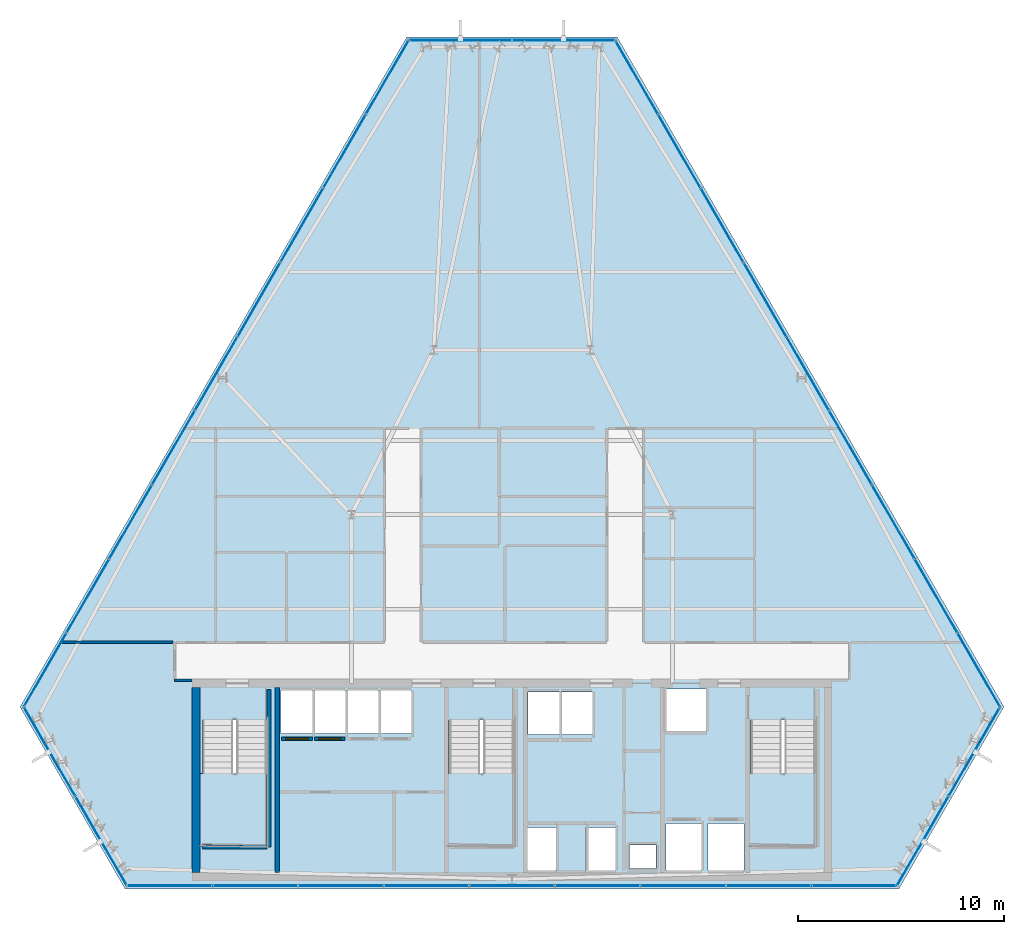
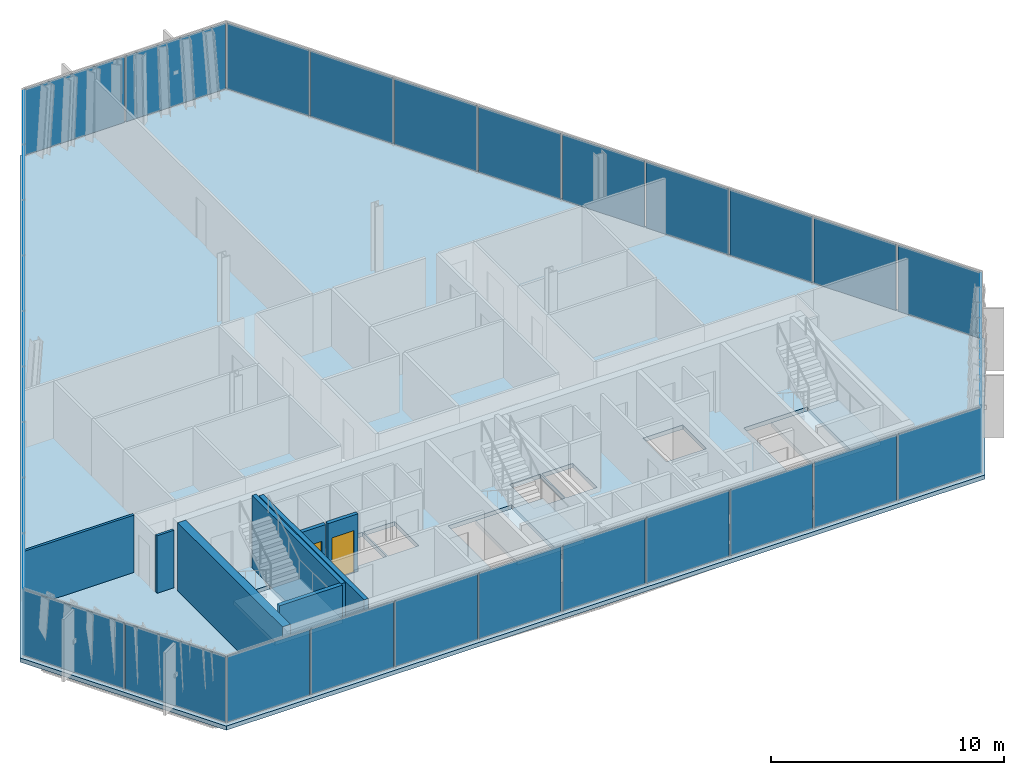
# One storey, part 27 of 35: 33 plates, 8 walls, 4 slabs, 2 doors, 2 openings, 9 elements without a shape of their own.
"""IFC4 building model written with IfcOpenShell, lengths in metres."""

from ifc_helpers import new_model, si_unit, direction, frame, frame_2d, origin, origin_2d, place, context, subcontext, project, spatial, polyline, rectangle, outline, extrude, material, layer, layer_set, type_object, element, fill, aggregate, save


model = new_model("IFC4")

# Units and contexts
model_context = context("Model", 3, precision=1e-05, world=origin(), true_north=direction((0.0, 1.0)))
body_context = subcontext(model_context, "Body", "Model", "MODEL_VIEW")
ifc_project = project(units=[si_unit("LENGTHUNIT", "METRE"), si_unit("AREAUNIT", "SQUARE_METRE"), si_unit("VOLUMEUNIT", "CUBIC_METRE"), si_unit("PLANEANGLEUNIT", "RADIAN"), si_unit("MASSUNIT", "GRAM", prefix="KILO")], contexts=[model_context])

# Site, building, storey
site_placement = place(None, origin())
site = spatial("IfcSite", under=ifc_project, at=site_placement, CompositionType="ELEMENT")
building_placement = place(site_placement, origin())
building = spatial("IfcBuilding", under=site, at=building_placement, Name="Ndaravel Arena Tower", CompositionType="ELEMENT")
storey_placement = place(building_placement, frame((0.0, 0.0, 180.199951171875)))
storey = spatial("IfcBuildingStorey", under=building, at=storey_placement, Name="L43", CompositionType="ELEMENT", Elevation=180.199951171875)

# Curtain wall, plate
ifc_material_1 = material(Name="Aluminium", Category="aluminium")
ifc_layer_1 = layer(ifc_material_1, 0.179931640625)
ifc_layer_set_1 = layer_set([ifc_layer_1], Name="Aluminium")
curtain_wall_type_1 = type_object("IfcCurtainWallType", Name="CW-SYS-01", PredefinedType="NOTDEFINED", material=ifc_layer_set_1)
curtain_wall_1_placement = place(storey_placement, origin())
curtain_wall_1 = element("IfcCurtainWall", 1, at=curtain_wall_1_placement, inside=storey, type_object=curtain_wall_type_1, Name="L43 Faceted Crystal Curtain Wall CW-L43-E02", PredefinedType="NOTDEFINED")
ifc_material_2 = material(Name="Glazing", Category="glass")
ifc_layer_2 = layer(ifc_material_2, 0.035888671875)
ifc_layer_set_2 = layer_set([ifc_layer_2], Name="Glazing")
plate_type_1 = type_object("IfcPlateType", Name="PLT-CW-OPVENT", PredefinedType="CURTAIN_PANEL", material=ifc_layer_set_2)
plate_1_placement = place(storey_placement, frame((64.467529296875, 11.6796875, 0.06005859375), z_axis=(0.0, 0.0, 1.0), x_axis=(0.5, 0.866025403784, 0.0)))
plate_1 = element("IfcPlate", 2, at=plate_1_placement, type_object=plate_type_1, Name="CW-L43-E02 Operable Vent Sash Panel 02", PredefinedType="CURTAIN_PANEL", context=body_context, shape_type="SweptSolid", body=[
    extrude(rectangle(XDim=4.938720703125, YDim=0.035888671875, at=origin_2d()), origin(), (0.0, 0.0, 1.0), 3.4599609375),
])

curtain_wall_2_placement = place(storey_placement, origin())
curtain_wall_2 = element("IfcCurtainWall", 3, at=curtain_wall_2_placement, inside=storey, type_object=curtain_wall_type_1, Name="L43 Faceted Crystal Curtain Wall CW-L43-E04", PredefinedType="NOTDEFINED")
plate_2_placement = place(storey_placement, frame((39.490478515625, 46.248291015625, 0.06005859375), z_axis=(0.0, 0.0, 1.0), x_axis=(-1.0, 0.0, 0.0)))
plate_2 = element("IfcPlate", 4, at=plate_2_placement, type_object=plate_type_1, Name="CW-L43-E04 Operable Vent Sash Panel 02", PredefinedType="CURTAIN_PANEL", context=body_context, shape_type="SweptSolid", body=[
    extrude(rectangle(XDim=4.938720703125, YDim=0.035888671875, at=origin_2d()), origin(), (0.0, 0.0, 1.0), 3.4599609375),
])

ifc_material_3 = material(Name="Aluminium", Category="aluminium")
ifc_layer_3 = layer(ifc_material_3, 0.179931640625)
ifc_layer_set_3 = layer_set([ifc_layer_3], Name="Aluminium")
curtain_wall_type_2 = type_object("IfcCurtainWallType", Name="CW-SYS-02", PredefinedType="NOTDEFINED", material=ifc_layer_set_3)
curtain_wall_3_placement = place(storey_placement, origin())
curtain_wall_3 = element("IfcCurtainWall", 5, at=curtain_wall_3_placement, inside=storey, type_object=curtain_wall_type_2, Name="L43 Faceted Crystal Curtain Wall CW-L43-E06", PredefinedType="NOTDEFINED")
plate_3_placement = place(storey_placement, frame((22.0419921875, 7.333251953125, 0.06005859375), z_axis=(0.0, 0.0, 1.0), x_axis=(0.5, -0.866025403784, 0.0)))
plate_3 = element("IfcPlate", 6, at=plate_3_placement, type_object=plate_type_1, Name="CW-L43-E06 Operable Vent Sash Panel 02", PredefinedType="CURTAIN_PANEL", context=body_context, shape_type="SweptSolid", body=[
    extrude(rectangle(XDim=4.938720703125, YDim=0.035888671875, at=origin_2d()), origin(), (0.0, 0.0, 1.0), 3.4599609375),
])

# Plate
ifc_material_4 = material(Name="Glazing", Category="glass")
ifc_layer_4 = layer(ifc_material_4, 0.031982421875)
ifc_layer_set_4 = layer_set([ifc_layer_4], Name="Glazing")
plate_type_2 = type_object("IfcPlateType", Name="PLT-GLZ-FRIT35", PredefinedType="CURTAIN_PANEL", material=ifc_layer_set_4)
plate_4_placement = place(storey_placement, frame((61.9580078125, 7.333251953125, 0.06005859375), z_axis=(0.0, 0.0, 1.0), x_axis=(0.5, 0.866025403784, 0.0)))
plate_4 = element("IfcPlate", 7, at=plate_4_placement, type_object=plate_type_2, Name="CW-L43-E02 Vision Glass Panel 01", PredefinedType="CURTAIN_PANEL", context=body_context, shape_type="SweptSolid", body=[
    extrude(rectangle(XDim=4.938720703125, YDim=0.035888671875, at=origin_2d()), origin(), (0.0, 0.0, 1.0), 3.4599609375),
])

aggregate(curtain_wall_1, [plate_4, plate_1])

plate_5_placement = place(storey_placement, frame((44.509521484375, 46.248291015625, 0.06005859375), z_axis=(0.0, 0.0, 1.0), x_axis=(-1.0, 0.0, 0.0)))
plate_5 = element("IfcPlate", 8, at=plate_5_placement, type_object=plate_type_2, Name="CW-L43-E04 Vision Glass Panel 01", PredefinedType="CURTAIN_PANEL", context=body_context, shape_type="SweptSolid", body=[
    extrude(rectangle(XDim=4.938720703125, YDim=0.035888671875, at=origin_2d()), origin(), (0.0, 0.0, 1.0), 3.4599609375),
])

aggregate(curtain_wall_2, [plate_5, plate_2])

ifc_material_5 = material(Name="Glazing", Category="glass")
ifc_layer_5 = layer(ifc_material_5, 0.035888671875)
ifc_layer_set_5 = layer_set([ifc_layer_5], Name="Glazing")
plate_type_3 = type_object("IfcPlateType", Name="PLT-GLZ-FRIT55", PredefinedType="CURTAIN_PANEL", material=ifc_layer_set_5)
plate_6_placement = place(storey_placement, frame((19.532470703125, 11.6796875, 0.06005859375), z_axis=(0.0, 0.0, 1.0), x_axis=(0.5, -0.866025403784, 0.0)))
plate_6 = element("IfcPlate", 9, at=plate_6_placement, type_object=plate_type_3, Name="CW-L43-E06 Vision Glass Panel 01", PredefinedType="CURTAIN_PANEL", context=body_context, shape_type="SweptSolid", body=[
    extrude(rectangle(XDim=4.938720703125, YDim=0.035888671875, at=origin_2d()), origin(), (0.0, 0.0, 1.0), 3.4599609375),
])

aggregate(curtain_wall_3, [plate_6, plate_3])

# Curtain wall, plates
ifc_material_6 = material(Name="Aluminium", Category="aluminium")
ifc_layer_6 = layer(ifc_material_6, 0.179931640625)
ifc_layer_set_6 = layer_set([ifc_layer_6], Name="Aluminium")
curtain_wall_type_3 = type_object("IfcCurtainWallType", Name="CW-SYS-03", PredefinedType="NOTDEFINED", material=ifc_layer_set_6)
curtain_wall_4_placement = place(storey_placement, origin())
curtain_wall_4 = element("IfcCurtainWall", 10, at=curtain_wall_4_placement, inside=storey, type_object=curtain_wall_type_3, Name="L43 Faceted Crystal Curtain Wall CW-L43-E01", PredefinedType="NOTDEFINED")
ifc_material_7 = material(Name="Glazing", Category="glass")
ifc_layer_7 = layer(ifc_material_7, 0.0400390625)
ifc_layer_set_7 = layer_set([ifc_layer_7], Name="Glazing")
plate_type_4 = type_object("IfcPlateType", Name="PLT-GLZ-LOWIRON", PredefinedType="CURTAIN_PANEL", material=ifc_layer_set_7)
plate_7_placement = place(storey_placement, frame((25.374755859375, 5.159912109375, 0.06005859375), z_axis=(0.0, 0.0, 1.0), x_axis=(1.0, 0.0, 0.0)))
plate_7 = element("IfcPlate", 11, at=plate_7_placement, type_object=plate_type_4, Name="CW-L43-E01 Vision Glass Panel 01", PredefinedType="CURTAIN_PANEL", context=body_context, shape_type="SweptSolid", body=[
    extrude(rectangle(XDim=4.076416015625, YDim=0.035888671875, at=origin_2d()), origin(), (0.0, 0.0, 1.0), 3.4599609375),
])
plate_8_placement = place(storey_placement, frame((29.531005859375, 5.159912109375, 0.06005859375), z_axis=(0.0, 0.0, 1.0), x_axis=(1.0, 0.0, 0.0)))
plate_8 = element("IfcPlate", 12, at=plate_8_placement, type_object=plate_type_4, Name="CW-L43-E01 Vision Glass Panel 02", PredefinedType="CURTAIN_PANEL", context=body_context, shape_type="SweptSolid", body=[
    extrude(rectangle(XDim=4.076416015625, YDim=0.035888671875, at=origin_2d()), origin(), (0.0, 0.0, 1.0), 3.4599609375),
])
plate_9_placement = place(storey_placement, frame((33.6875, 5.159912109375, 0.06005859375), z_axis=(0.0, 0.0, 1.0), x_axis=(1.0, 0.0, 0.0)))
plate_9 = element("IfcPlate", 13, at=plate_9_placement, type_object=plate_type_4, Name="CW-L43-E01 Vision Glass Panel 03", PredefinedType="CURTAIN_PANEL", context=body_context, shape_type="SweptSolid", body=[
    extrude(rectangle(XDim=4.076416015625, YDim=0.035888671875, at=origin_2d()), origin(), (0.0, 0.0, 1.0), 3.4599609375),
])
plate_10_placement = place(storey_placement, frame((37.84375, 5.159912109375, 0.06005859375), z_axis=(0.0, 0.0, 1.0), x_axis=(1.0, 0.0, 0.0)))
plate_10 = element("IfcPlate", 14, at=plate_10_placement, type_object=plate_type_4, Name="CW-L43-E01 Vision Glass Panel 04", PredefinedType="CURTAIN_PANEL", context=body_context, shape_type="SweptSolid", body=[
    extrude(rectangle(XDim=4.076416015625, YDim=0.035888671875, at=origin_2d()), origin(), (0.0, 0.0, 1.0), 3.4599609375),
])
plate_11_placement = place(storey_placement, frame((42.0, 5.159912109375, 0.06005859375), z_axis=(0.0, 0.0, 1.0), x_axis=(1.0, 0.0, 0.0)))
plate_11 = element("IfcPlate", 15, at=plate_11_placement, type_object=plate_type_4, Name="CW-L43-E01 Vision Glass Panel 05", PredefinedType="CURTAIN_PANEL", context=body_context, shape_type="SweptSolid", body=[
    extrude(rectangle(XDim=4.076416015625, YDim=0.035888671875, at=origin_2d()), origin(), (0.0, 0.0, 1.0), 3.4599609375),
])
plate_12_placement = place(storey_placement, frame((46.15625, 5.159912109375, 0.06005859375), z_axis=(0.0, 0.0, 1.0), x_axis=(1.0, 0.0, 0.0)))
plate_12 = element("IfcPlate", 16, at=plate_12_placement, type_object=plate_type_4, Name="CW-L43-E01 Vision Glass Panel 06", PredefinedType="CURTAIN_PANEL", context=body_context, shape_type="SweptSolid", body=[
    extrude(rectangle(XDim=4.076416015625, YDim=0.035888671875, at=origin_2d()), origin(), (0.0, 0.0, 1.0), 3.4599609375),
])
plate_13_placement = place(storey_placement, frame((50.3125, 5.159912109375, 0.06005859375), z_axis=(0.0, 0.0, 1.0), x_axis=(1.0, 0.0, 0.0)))
plate_13 = element("IfcPlate", 17, at=plate_13_placement, type_object=plate_type_4, Name="CW-L43-E01 Vision Glass Panel 07", PredefinedType="CURTAIN_PANEL", context=body_context, shape_type="SweptSolid", body=[
    extrude(rectangle(XDim=4.076416015625, YDim=0.035888671875, at=origin_2d()), origin(), (0.0, 0.0, 1.0), 3.4599609375),
])
plate_14_placement = place(storey_placement, frame((54.468994140625, 5.159912109375, 0.06005859375), z_axis=(0.0, 0.0, 1.0), x_axis=(1.0, 0.0, 0.0)))
plate_14 = element("IfcPlate", 18, at=plate_14_placement, type_object=plate_type_4, Name="CW-L43-E01 Vision Glass Panel 08", PredefinedType="CURTAIN_PANEL", context=body_context, shape_type="SweptSolid", body=[
    extrude(rectangle(XDim=4.076416015625, YDim=0.035888671875, at=origin_2d()), origin(), (0.0, 0.0, 1.0), 3.4599609375),
])
plate_15_placement = place(storey_placement, frame((58.625244140625, 5.159912109375, 0.06005859375), z_axis=(0.0, 0.0, 1.0), x_axis=(1.0, 0.0, 0.0)))
plate_15 = element("IfcPlate", 19, at=plate_15_placement, type_object=plate_type_4, Name="CW-L43-E01 Vision Glass Panel 09", PredefinedType="CURTAIN_PANEL", context=body_context, shape_type="SweptSolid", body=[
    extrude(rectangle(XDim=4.076416015625, YDim=0.035888671875, at=origin_2d()), origin(), (0.0, 0.0, 1.0), 3.4599609375),
])
aggregate(curtain_wall_4, [plate_7, plate_8, plate_9, plate_10, plate_11, plate_12, plate_13, plate_14, plate_15])

curtain_wall_5_placement = place(storey_placement, origin())
curtain_wall_5 = element("IfcCurtainWall", 20, at=curtain_wall_5_placement, inside=storey, type_object=curtain_wall_type_3, Name="L43 Faceted Crystal Curtain Wall CW-L43-E03", PredefinedType="NOTDEFINED")
plate_16_placement = place(storey_placement, frame((64.68310546875, 15.652587890625, 0.06005859375), z_axis=(0.0, 0.0, 1.0), x_axis=(-0.5, 0.866025403784, 0.0)))
plate_16 = element("IfcPlate", 21, at=plate_16_placement, type_object=plate_type_4, Name="CW-L43-E03 Vision Glass Panel 01", PredefinedType="CURTAIN_PANEL", context=body_context, shape_type="SweptSolid", body=[
    extrude(rectangle(XDim=4.076416015625, YDim=0.035888671875, at=origin_2d()), origin(), (0.0, 0.0, 1.0), 3.4599609375),
])
plate_17_placement = place(storey_placement, frame((62.60498046875, 19.252197265625, 0.06005859375), z_axis=(0.0, 0.0, 1.0), x_axis=(-0.5, 0.866025403784, 0.0)))
plate_17 = element("IfcPlate", 22, at=plate_17_placement, type_object=plate_type_4, Name="CW-L43-E03 Vision Glass Panel 02", PredefinedType="CURTAIN_PANEL", context=body_context, shape_type="SweptSolid", body=[
    extrude(rectangle(XDim=4.076416015625, YDim=0.035888671875, at=origin_2d()), origin(), (0.0, 0.0, 1.0), 3.4599609375),
])
plate_18_placement = place(storey_placement, frame((60.52685546875, 22.8515625, 0.06005859375), z_axis=(0.0, 0.0, 1.0), x_axis=(-0.5, 0.866025403784, 0.0)))
plate_18 = element("IfcPlate", 23, at=plate_18_placement, type_object=plate_type_4, Name="CW-L43-E03 Vision Glass Panel 03", PredefinedType="CURTAIN_PANEL", context=body_context, shape_type="SweptSolid", body=[
    extrude(rectangle(XDim=4.076416015625, YDim=0.035888671875, at=origin_2d()), origin(), (0.0, 0.0, 1.0), 3.4599609375),
])
plate_19_placement = place(storey_placement, frame((58.44873046875, 26.451171875, 0.06005859375), z_axis=(0.0, 0.0, 1.0), x_axis=(-0.5, 0.866025403784, 0.0)))
plate_19 = element("IfcPlate", 24, at=plate_19_placement, type_object=plate_type_4, Name="CW-L43-E03 Vision Glass Panel 04", PredefinedType="CURTAIN_PANEL", context=body_context, shape_type="SweptSolid", body=[
    extrude(rectangle(XDim=4.076416015625, YDim=0.035888671875, at=origin_2d()), origin(), (0.0, 0.0, 1.0), 3.4599609375),
])
plate_20_placement = place(storey_placement, frame((56.37060546875, 30.050537109375, 0.06005859375), z_axis=(0.0, 0.0, 1.0), x_axis=(-0.5, 0.866025403784, 0.0)))
plate_20 = element("IfcPlate", 25, at=plate_20_placement, type_object=plate_type_4, Name="CW-L43-E03 Vision Glass Panel 05", PredefinedType="CURTAIN_PANEL", context=body_context, shape_type="SweptSolid", body=[
    extrude(rectangle(XDim=4.076416015625, YDim=0.035888671875, at=origin_2d()), origin(), (0.0, 0.0, 1.0), 3.4599609375),
])
plate_21_placement = place(storey_placement, frame((54.292236328125, 33.64990234375, 0.06005859375), z_axis=(0.0, 0.0, 1.0), x_axis=(-0.5, 0.866025403784, 0.0)))
plate_21 = element("IfcPlate", 26, at=plate_21_placement, type_object=plate_type_4, Name="CW-L43-E03 Vision Glass Panel 06", PredefinedType="CURTAIN_PANEL", context=body_context, shape_type="SweptSolid", body=[
    extrude(rectangle(XDim=4.076416015625, YDim=0.035888671875, at=origin_2d()), origin(), (0.0, 0.0, 1.0), 3.4599609375),
])
plate_22_placement = place(storey_placement, frame((52.214111328125, 37.24951171875, 0.06005859375), z_axis=(0.0, 0.0, 1.0), x_axis=(-0.5, 0.866025403784, 0.0)))
plate_22 = element("IfcPlate", 27, at=plate_22_placement, type_object=plate_type_4, Name="CW-L43-E03 Vision Glass Panel 07", PredefinedType="CURTAIN_PANEL", context=body_context, shape_type="SweptSolid", body=[
    extrude(rectangle(XDim=4.076416015625, YDim=0.035888671875, at=origin_2d()), origin(), (0.0, 0.0, 1.0), 3.4599609375),
])
plate_23_placement = place(storey_placement, frame((50.135986328125, 40.84912109375, 0.06005859375), z_axis=(0.0, 0.0, 1.0), x_axis=(-0.5, 0.866025403784, 0.0)))
plate_23 = element("IfcPlate", 28, at=plate_23_placement, type_object=plate_type_4, Name="CW-L43-E03 Vision Glass Panel 08", PredefinedType="CURTAIN_PANEL", context=body_context, shape_type="SweptSolid", body=[
    extrude(rectangle(XDim=4.076416015625, YDim=0.035888671875, at=origin_2d()), origin(), (0.0, 0.0, 1.0), 3.4599609375),
])
plate_24_placement = place(storey_placement, frame((48.057861328125, 44.448486328125, 0.06005859375), z_axis=(0.0, 0.0, 1.0), x_axis=(-0.5, 0.866025403784, 0.0)))
plate_24 = element("IfcPlate", 29, at=plate_24_placement, type_object=plate_type_4, Name="CW-L43-E03 Vision Glass Panel 09", PredefinedType="CURTAIN_PANEL", context=body_context, shape_type="SweptSolid", body=[
    extrude(rectangle(XDim=4.076416015625, YDim=0.035888671875, at=origin_2d()), origin(), (0.0, 0.0, 1.0), 3.4599609375),
])
aggregate(curtain_wall_5, [plate_16, plate_17, plate_18, plate_19, plate_20, plate_21, plate_22, plate_23, plate_24])

curtain_wall_6_placement = place(storey_placement, origin())
curtain_wall_6 = element("IfcCurtainWall", 30, at=curtain_wall_6_placement, inside=storey, type_object=curtain_wall_type_3, Name="L43 Faceted Crystal Curtain Wall CW-L43-E05", PredefinedType="NOTDEFINED")
plate_25_placement = place(storey_placement, frame((35.942138671875, 44.448486328125, 0.06005859375), z_axis=(0.0, 0.0, 1.0), x_axis=(-0.5, -0.866025403784, 0.0)))
plate_25 = element("IfcPlate", 31, at=plate_25_placement, type_object=plate_type_4, Name="CW-L43-E05 Vision Glass Panel 01", PredefinedType="CURTAIN_PANEL", context=body_context, shape_type="SweptSolid", body=[
    extrude(rectangle(XDim=4.076416015625, YDim=0.035888671875, at=origin_2d()), origin(), (0.0, 0.0, 1.0), 3.4599609375),
])
plate_26_placement = place(storey_placement, frame((33.864013671875, 40.84912109375, 0.06005859375), z_axis=(0.0, 0.0, 1.0), x_axis=(-0.5, -0.866025403784, 0.0)))
plate_26 = element("IfcPlate", 32, at=plate_26_placement, type_object=plate_type_4, Name="CW-L43-E05 Vision Glass Panel 02", PredefinedType="CURTAIN_PANEL", context=body_context, shape_type="SweptSolid", body=[
    extrude(rectangle(XDim=4.076416015625, YDim=0.035888671875, at=origin_2d()), origin(), (0.0, 0.0, 1.0), 3.4599609375),
])
plate_27_placement = place(storey_placement, frame((31.785888671875, 37.24951171875, 0.06005859375), z_axis=(0.0, 0.0, 1.0), x_axis=(-0.5, -0.866025403784, 0.0)))
plate_27 = element("IfcPlate", 33, at=plate_27_placement, type_object=plate_type_4, Name="CW-L43-E05 Vision Glass Panel 03", PredefinedType="CURTAIN_PANEL", context=body_context, shape_type="SweptSolid", body=[
    extrude(rectangle(XDim=4.076416015625, YDim=0.035888671875, at=origin_2d()), origin(), (0.0, 0.0, 1.0), 3.4599609375),
])
plate_28_placement = place(storey_placement, frame((29.707763671875, 33.64990234375, 0.06005859375), z_axis=(0.0, 0.0, 1.0), x_axis=(-0.5, -0.866025403784, 0.0)))
plate_28 = element("IfcPlate", 34, at=plate_28_placement, type_object=plate_type_4, Name="CW-L43-E05 Vision Glass Panel 04", PredefinedType="CURTAIN_PANEL", context=body_context, shape_type="SweptSolid", body=[
    extrude(rectangle(XDim=4.076416015625, YDim=0.035888671875, at=origin_2d()), origin(), (0.0, 0.0, 1.0), 3.4599609375),
])
plate_29_placement = place(storey_placement, frame((27.62939453125, 30.050537109375, 0.06005859375), z_axis=(0.0, 0.0, 1.0), x_axis=(-0.5, -0.866025403784, 0.0)))
plate_29 = element("IfcPlate", 35, at=plate_29_placement, type_object=plate_type_4, Name="CW-L43-E05 Vision Glass Panel 05", PredefinedType="CURTAIN_PANEL", context=body_context, shape_type="SweptSolid", body=[
    extrude(rectangle(XDim=4.076416015625, YDim=0.035888671875, at=origin_2d()), origin(), (0.0, 0.0, 1.0), 3.4599609375),
])
plate_30_placement = place(storey_placement, frame((25.55126953125, 26.451171875, 0.06005859375), z_axis=(0.0, 0.0, 1.0), x_axis=(-0.5, -0.866025403784, 0.0)))
plate_30 = element("IfcPlate", 36, at=plate_30_placement, type_object=plate_type_4, Name="CW-L43-E05 Vision Glass Panel 06", PredefinedType="CURTAIN_PANEL", context=body_context, shape_type="SweptSolid", body=[
    extrude(rectangle(XDim=4.076416015625, YDim=0.035888671875, at=origin_2d()), origin(), (0.0, 0.0, 1.0), 3.4599609375),
])
plate_31_placement = place(storey_placement, frame((23.47314453125, 22.8515625, 0.06005859375), z_axis=(0.0, 0.0, 1.0), x_axis=(-0.5, -0.866025403784, 0.0)))
plate_31 = element("IfcPlate", 37, at=plate_31_placement, type_object=plate_type_4, Name="CW-L43-E05 Vision Glass Panel 07", PredefinedType="CURTAIN_PANEL", context=body_context, shape_type="SweptSolid", body=[
    extrude(rectangle(XDim=4.076416015625, YDim=0.035888671875, at=origin_2d()), origin(), (0.0, 0.0, 1.0), 3.4599609375),
])
plate_32_placement = place(storey_placement, frame((21.39501953125, 19.252197265625, 0.06005859375), z_axis=(0.0, 0.0, 1.0), x_axis=(-0.5, -0.866025403784, 0.0)))
plate_32 = element("IfcPlate", 38, at=plate_32_placement, type_object=plate_type_4, Name="CW-L43-E05 Vision Glass Panel 08", PredefinedType="CURTAIN_PANEL", context=body_context, shape_type="SweptSolid", body=[
    extrude(rectangle(XDim=4.076416015625, YDim=0.035888671875, at=origin_2d()), origin(), (0.0, 0.0, 1.0), 3.4599609375),
])
plate_33_placement = place(storey_placement, frame((19.31689453125, 15.652587890625, 0.06005859375), z_axis=(0.0, 0.0, 1.0), x_axis=(-0.5, -0.866025403784, 0.0)))
plate_33 = element("IfcPlate", 39, at=plate_33_placement, type_object=plate_type_4, Name="CW-L43-E05 Vision Glass Panel 09", PredefinedType="CURTAIN_PANEL", context=body_context, shape_type="SweptSolid", body=[
    extrude(rectangle(XDim=4.076416015625, YDim=0.035888671875, at=origin_2d()), origin(), (0.0, 0.0, 1.0), 3.4599609375),
])
aggregate(curtain_wall_6, [plate_25, plate_26, plate_27, plate_28, plate_29, plate_30, plate_31, plate_32, plate_33])

# Stair, slab
ifc_material_8 = material(Name="Concrete C40/50", Category="concrete")
stair_type = type_object("IfcStairType", Name="STAIR-CORE-HT", PredefinedType="HALF_TURN_STAIR", material=ifc_material_8)
stair_1_placement = place(storey_placement, origin())
stair_1 = element("IfcStair", 40, at=stair_1_placement, inside=storey, type_object=stair_type, Name="L43 ST-1", PredefinedType="HALF_TURN_STAIR")
ifc_material_9 = material(Name="Concrete C40/50", Category="concrete")
ifc_layer_8 = layer(ifc_material_9, 0.199951171875)
ifc_layer_set_8 = layer_set([ifc_layer_8], Name="Concrete C40/50")
slab_type_1 = type_object("IfcSlabType", Name="SLAB-STAIR-LANDING", PredefinedType="LANDING", material=ifc_layer_set_8)
slab_1_placement = place(storey_placement, frame((0.0, 0.0, 1.699951171875)))
slab_1 = element("IfcSlab", 41, at=slab_1_placement, type_object=slab_type_1, Name="ST-1 landing 1", PredefinedType="LANDING", context=body_context, shape_type="SweptSolid", body=[
    extrude(outline(polyline([(26.81005859375, 10.6298828125), (26.81005859375, 7.070068359375), (30.169921875, 7.070068359375), (30.169921875, 10.6298828125), (26.81005859375, 10.6298828125)])), origin(), (0.0, 0.0, 1.0), 0.2001953125),
])
aggregate(stair_1, [slab_1])

stair_2_placement = place(storey_placement, origin())
stair_2 = element("IfcStair", 42, at=stair_2_placement, inside=storey, type_object=stair_type, Name="L43 ST-2", PredefinedType="HALF_TURN_STAIR")
slab_2_placement = place(storey_placement, frame((0.0, 0.0, 1.699951171875)))
slab_2 = element("IfcSlab", 43, at=slab_2_placement, type_object=slab_type_1, Name="ST-2 landing 1", PredefinedType="LANDING", context=body_context, shape_type="SweptSolid", body=[
    extrude(outline(polyline([(38.81005859375, 10.6298828125), (38.81005859375, 7.070068359375), (42.169921875, 7.070068359375), (42.169921875, 10.6298828125), (38.81005859375, 10.6298828125)])), origin(), (0.0, 0.0, 1.0), 0.2001953125),
])
aggregate(stair_2, [slab_2])

stair_3_placement = place(storey_placement, origin())
stair_3 = element("IfcStair", 44, at=stair_3_placement, inside=storey, type_object=stair_type, Name="L43 ST-3", PredefinedType="HALF_TURN_STAIR")
slab_3_placement = place(storey_placement, frame((0.0, 0.0, 1.699951171875)))
slab_3 = element("IfcSlab", 45, at=slab_3_placement, type_object=slab_type_1, Name="ST-3 landing 1", PredefinedType="LANDING", context=body_context, shape_type="SweptSolid", body=[
    extrude(outline(polyline([(53.4599609375, 10.6298828125), (53.4599609375, 7.070068359375), (56.820068359375, 7.070068359375), (56.820068359375, 10.6298828125), (53.4599609375, 10.6298828125)])), origin(), (0.0, 0.0, 1.0), 0.2001953125),
])
aggregate(stair_3, [slab_3])

# Slab
ifc_material_10 = material(Name="Concrete C40/50", Category="concrete")
ifc_layer_9 = layer(ifc_material_10, 0.219970703125)
ifc_layer_set_9 = layer_set([ifc_layer_9], Name="Concrete C40/50")
slab_type_2 = type_object("IfcSlabType", Name="SLAB-TWR-220", PredefinedType="FLOOR", material=ifc_layer_set_9)
slab_4_placement = place(storey_placement, frame((0.0, 0.0, -0.219970703125)))
element("IfcSlab", 46, at=slab_4_placement, inside=storey, type_object=slab_type_2, Name="L43 Structural Floor Slab", PredefinedType="FLOOR", context=body_context, shape_type="SweptSolid", body=[
    extrude(outline(polyline([(18.093017578125, 13.852783203125), (23.2041015625, 5.0), (60.7958984375, 5.0), (65.906982421875, 13.852783203125), (47.111083984375, 46.408203125), (36.888916015625, 46.408203125), (18.093017578125, 13.852783203125)]), holes=[polyline([(26.949951171875, 13.215087890625), (26.949951171875, 7.14990234375), (30.090087890625, 7.14990234375), (30.090087890625, 13.215087890625), (26.949951171875, 13.215087890625)]), polyline([(38.949951171875, 13.215087890625), (38.949951171875, 7.14990234375), (42.090087890625, 7.14990234375), (42.090087890625, 13.215087890625), (38.949951171875, 13.215087890625)]), polyline([(53.60009765625, 13.215087890625), (53.60009765625, 7.14990234375), (56.739990234375, 7.14990234375), (56.739990234375, 13.215087890625), (53.60009765625, 13.215087890625)]), polyline([(30.784912109375, 12.56005859375), (32.31494140625, 12.56005859375), (32.31494140625, 14.639892578125), (30.784912109375, 14.639892578125), (30.784912109375, 12.56005859375)]), polyline([(32.385009765625, 12.56005859375), (33.9150390625, 12.56005859375), (33.9150390625, 14.639892578125), (32.385009765625, 14.639892578125), (32.385009765625, 12.56005859375)]), polyline([(33.985107421875, 12.56005859375), (35.514892578125, 12.56005859375), (35.514892578125, 14.639892578125), (33.985107421875, 14.639892578125), (33.985107421875, 12.56005859375)]), polyline([(35.5849609375, 12.56005859375), (37.114990234375, 12.56005859375), (37.114990234375, 14.639892578125), (35.5849609375, 14.639892578125), (35.5849609375, 12.56005859375)]), polyline([(42.659912109375, 5.909912109375), (44.139892578125, 5.909912109375), (44.139892578125, 7.989990234375), (42.659912109375, 7.989990234375), (42.659912109375, 5.909912109375)]), polyline([(45.56005859375, 5.909912109375), (47.0400390625, 5.909912109375), (47.0400390625, 7.989990234375), (45.56005859375, 7.989990234375), (45.56005859375, 5.909912109375)]), polyline([(42.784912109375, 12.510009765625), (44.31494140625, 12.510009765625), (44.31494140625, 14.590087890625), (42.784912109375, 14.590087890625), (42.784912109375, 12.510009765625)]), polyline([(44.385009765625, 12.510009765625), (45.9150390625, 12.510009765625), (45.9150390625, 14.590087890625), (44.385009765625, 14.590087890625), (44.385009765625, 12.510009765625)]), polyline([(49.485107421875, 5.909912109375), (51.215087890625, 5.909912109375), (51.215087890625, 8.18994140625), (49.485107421875, 8.18994140625), (49.485107421875, 5.909912109375)]), polyline([(51.534912109375, 5.909912109375), (53.264892578125, 5.909912109375), (53.264892578125, 8.18994140625), (51.534912109375, 8.18994140625), (51.534912109375, 5.909912109375)]), polyline([(49.4599609375, 12.68505859375), (51.43994140625, 12.68505859375), (51.43994140625, 14.715087890625), (49.4599609375, 14.715087890625), (49.4599609375, 12.68505859375)]), polyline([(47.699951171875, 6.0), (49.0, 6.0), (49.0, 7.139892578125), (47.699951171875, 7.139892578125), (47.699951171875, 6.0)])]), origin(), (0.0, 0.0, 1.0), 0.219970703125),
])

# Walls
ifc_material_11 = material(Name="Concrete C50/60", Category="concrete")
ifc_layer_10 = layer(ifc_material_11, 0.219970703125)
ifc_layer_set_10 = layer_set([ifc_layer_10], Name="Concrete C50/60")
wall_type_1 = type_object("IfcWallType", Name="WALL-CORE-220", PredefinedType="SOLIDWALL", material=ifc_layer_set_10)
wall_1_placement = place(storey_placement, frame((30.60009765625, 5.800048828125, 0.0), z_axis=(0.0, 0.0, 1.0), x_axis=(0.0, 1.0, 0.0)))
element("IfcWall", 47, at=wall_1_placement, inside=storey, type_object=wall_type_1, Name="L43 Core Web Shear Wall 1", PredefinedType="SOLIDWALL", context=body_context, shape_type="SweptSolid", body=[
    extrude(rectangle(XDim=9.0, YDim=0.219970703125, at=frame_2d((4.5, 0.0))), origin(), (0.0, 0.0, 1.0), 3.580078125),
])
ifc_material_12 = material(Name="Concrete C50/60", Category="concrete")
ifc_layer_11 = layer(ifc_material_12, 0.39990234375)
ifc_layer_set_11 = layer_set([ifc_layer_11], Name="Concrete C50/60")
wall_type_2 = type_object("IfcWallType", Name="WALL-CORE-400", PredefinedType="SOLIDWALL", material=ifc_layer_set_11)
wall_2_placement = place(storey_placement, frame((26.64990234375, 5.800048828125, 0.0), z_axis=(0.0, 0.0, 1.0), x_axis=(0.0, 1.0, 0.0)))
element("IfcWall", 48, at=wall_2_placement, inside=storey, type_object=wall_type_2, Name="L43 Core West Shear Wall", PredefinedType="SOLIDWALL", context=body_context, shape_type="SweptSolid", body=[
    extrude(rectangle(XDim=9.0, YDim=0.39990234375, at=frame_2d((4.5, 0.0))), origin(), (0.0, 0.0, 1.0), 3.580078125),
])
ifc_material_13 = material(Name="Gypsum", Category="gypsum")
ifc_layer_12 = layer(ifc_material_13, 0.125)
ifc_layer_set_12 = layer_set([ifc_layer_12], Name="Gypsum")
wall_type_3 = type_object("IfcWallType", Name="WALL-PART-125", PredefinedType="PARTITIONING", material=ifc_layer_set_12)
wall_3_placement = place(storey_placement, frame((26.449951171875, 15.14990234375, 0.0), z_axis=(0.0, 0.0, 1.0), x_axis=(-1.0, 0.0, 0.0)))
element("IfcWall", 49, at=wall_3_placement, inside=storey, type_object=wall_type_3, Name="L43 Interior Partition 003", PredefinedType="PARTITIONING", context=body_context, shape_type="SweptSolid", body=[
    extrude(rectangle(XDim=0.849853515625, YDim=0.125, at=frame_2d((0.4248046875, 0.0))), origin(), (0.0, 0.0, 1.0), 3.010498046875),
])
wall_4_placement = place(storey_placement, frame((20.0947265625, 17.0, 0.0), z_axis=(0.0, 0.0, 1.0), x_axis=(1.0, 0.0, 0.0)))
element("IfcWall", 50, at=wall_4_placement, inside=storey, type_object=wall_type_3, Name="L43 Interior Partition 025", PredefinedType="PARTITIONING", context=body_context, shape_type="SweptSolid", body=[
    extrude(rectangle(XDim=5.440185546875, YDim=0.125, at=frame_2d((2.72021484375, 0.0))), origin(), (0.0, 0.0, 1.0), 3.010498046875),
])
ifc_material_14 = material(Name="Concrete C40/50", Category="concrete")
ifc_layer_13 = layer(ifc_material_14, 0.199951171875)
ifc_layer_set_13 = layer_set([ifc_layer_13], Name="Concrete C40/50")
wall_type_4 = type_object("IfcWallType", Name="WALL-SHAFT-200", PredefinedType="SOLIDWALL", material=ifc_layer_set_13)
wall_5_placement = place(storey_placement, frame((30.18994140625, 14.699951171875, 0.0), z_axis=(0.0, 0.0, 1.0), x_axis=(0.0, -1.0, 0.0)))
element("IfcWall", 51, at=wall_5_placement, inside=storey, type_object=wall_type_4, Name="L43 ST-1 Structural Shaft Wall Right", PredefinedType="SOLIDWALL", context=body_context, shape_type="SweptSolid", body=[
    extrude(rectangle(XDim=7.64990234375, YDim=0.199951171875, at=frame_2d((3.824951171875, 0.0))), origin(), (0.0, 0.0, 1.0), 3.800048828125),
])
wall_6_placement = place(storey_placement, frame((26.969970703125, 7.050048828125, 0.0), z_axis=(0.0, 0.0, 1.0), x_axis=(1.0, 0.0, 0.0)))
element("IfcWall", 52, at=wall_6_placement, inside=storey, type_object=wall_type_4, Name="L43 ST-1 Structural Shaft Wall Far", PredefinedType="SOLIDWALL", context=body_context, shape_type="SweptSolid", body=[
    extrude(rectangle(XDim=3.114990234375, YDim=0.199951171875, at=frame_2d((1.5576171875, 0.0))), origin(), (0.0, 0.0, 1.0), 3.800048828125),
])

# Wall, opening, door
wall_7_placement = place(storey_placement, frame((30.804931640625, 12.300048828125, 0.0), z_axis=(0.0, 0.0, 1.0), x_axis=(1.0, 0.0, 0.0)))
wall_7 = element("IfcWall", 53, at=wall_7_placement, inside=storey, type_object=wall_type_4, Name="L43 PL-M1 Shaft Landing Wall", PredefinedType="SOLIDWALL", context=body_context, shape_type="SweptSolid", body=[
    extrude(rectangle(XDim=1.489990234375, YDim=0.179931640625, at=frame_2d((0.7451171875, 0.0))), origin(), (0.0, 0.0, 1.0), 3.010498046875),
])
opening_1_placement = place(wall_7_placement, frame((0.195068359375, 0.0, 0.0)))
opening_1 = element("IfcOpeningElement", 54, at=opening_1_placement, cuts=wall_7, Name="Opening LD-01", PredefinedType="OPENING", context=body_context, shape_type="SweptSolid", body=[
    extrude(rectangle(XDim=1.10009765625, YDim=2.199951171875, at=frame_2d((0.550048828125, 1.10009765625))), frame((0.0, 0.08984375, 0.0), z_axis=(0.0, -1.0, 0.0), x_axis=(1.0, 0.0, 0.0)), (0.0, 0.0, 1.0), 0.179931640625),
])
ifc_material_15 = material(Name="Steel S355", Category="steel")
door_type = type_object("IfcDoorType", Name="DT-06-LIFT-1100", OperationType="SLIDING_TO_LEFT", PredefinedType="DOOR", material=ifc_material_15)
door_1_placement = place(opening_1_placement, origin())
door_1 = element("IfcDoor", 55, at=door_1_placement, inside=storey, type_object=door_type, Name="L43 Lift PL-M1 Sliding Landing Door", OperationType="SLIDING_TO_LEFT", OverallHeight=2.199951171875, OverallWidth=1.10009765625, PredefinedType="DOOR", context=body_context, shape_type="SweptSolid", body=[
    extrude(rectangle(XDim=1.10009765625, YDim=2.199951171875, at=frame_2d((0.550048828125, 1.10009765625))), frame((0.0, 0.02490234375, 0.0), z_axis=(0.0, -1.0, 0.0), x_axis=(1.0, 0.0, 0.0)), (0.0, 0.0, 1.0), 0.050048828125),
])
fill(opening_1, door_1)

wall_8_placement = place(storey_placement, frame((32.405029296875, 12.300048828125, 0.0), z_axis=(0.0, 0.0, 1.0), x_axis=(1.0, 0.0, 0.0)))
wall_8 = element("IfcWall", 56, at=wall_8_placement, inside=storey, type_object=wall_type_4, Name="L43 PL-M2 Shaft Landing Wall", PredefinedType="SOLIDWALL", context=body_context, shape_type="SweptSolid", body=[
    extrude(rectangle(XDim=1.489990234375, YDim=0.179931640625, at=frame_2d((0.7451171875, 0.0))), origin(), (0.0, 0.0, 1.0), 3.010498046875),
])
opening_2_placement = place(wall_8_placement, frame((0.195068359375, 0.0, 0.0)))
opening_2 = element("IfcOpeningElement", 57, at=opening_2_placement, cuts=wall_8, Name="Opening LD-01", PredefinedType="OPENING", context=body_context, shape_type="SweptSolid", body=[
    extrude(rectangle(XDim=1.10009765625, YDim=2.199951171875, at=frame_2d((0.550048828125, 1.10009765625))), frame((0.0, 0.08984375, 0.0), z_axis=(0.0, -1.0, 0.0), x_axis=(1.0, 0.0, 0.0)), (0.0, 0.0, 1.0), 0.179931640625),
])
door_2_placement = place(opening_2_placement, origin())
door_2 = element("IfcDoor", 58, at=door_2_placement, inside=storey, type_object=door_type, Name="L43 Lift PL-M2 Sliding Landing Door", OperationType="SLIDING_TO_LEFT", OverallHeight=2.199951171875, OverallWidth=1.10009765625, PredefinedType="DOOR", context=body_context, shape_type="SweptSolid", body=[
    extrude(rectangle(XDim=1.10009765625, YDim=2.199951171875, at=frame_2d((0.550048828125, 1.10009765625))), frame((0.0, 0.02490234375, 0.0), z_axis=(0.0, -1.0, 0.0), x_axis=(1.0, 0.0, 0.0)), (0.0, 0.0, 1.0), 0.050048828125),
])
fill(opening_2, door_2)

save(model, "model.ifc")
